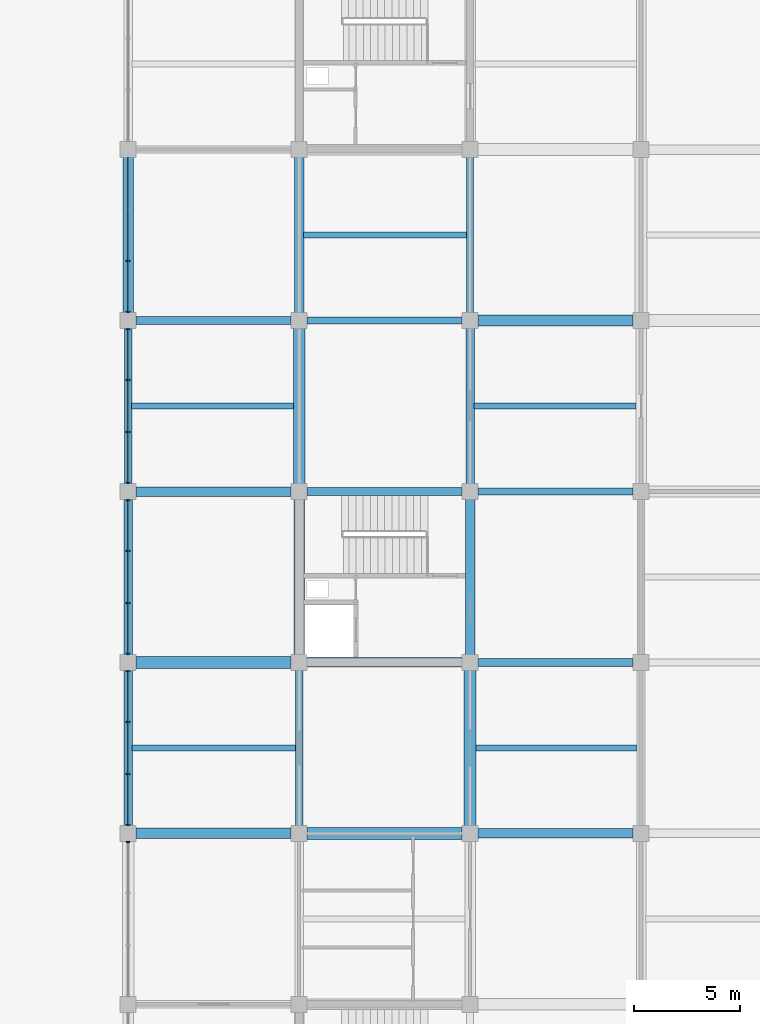
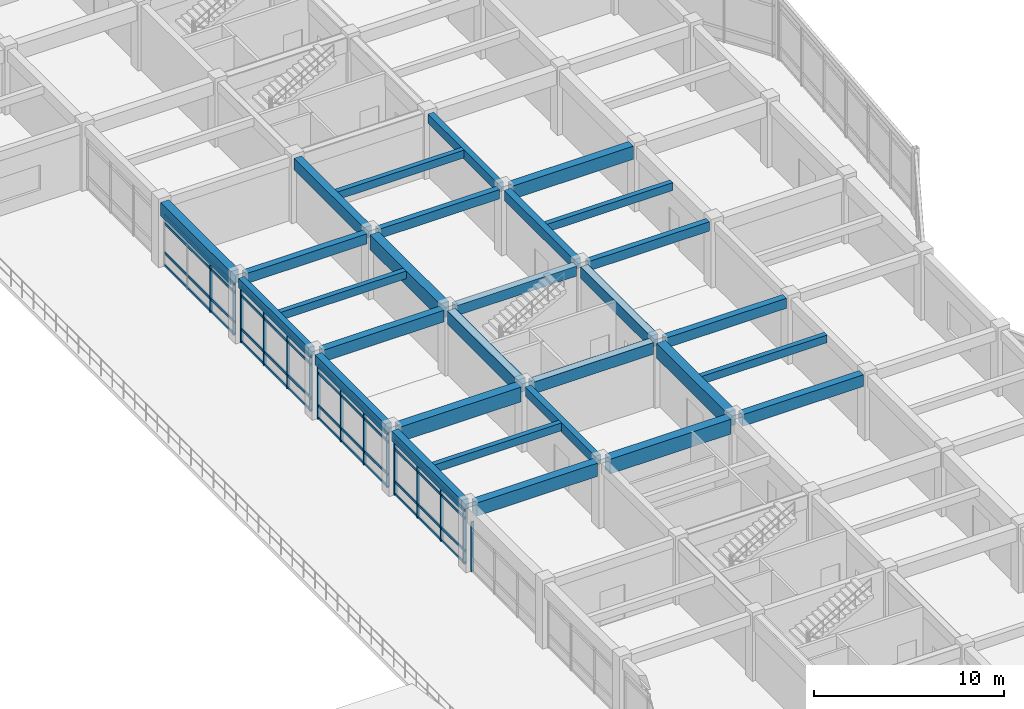
# One storey, part 29 of 70: 31 members, 29 beams, 5 elements without a shape of their own.
"""IFC4 building model written with IfcOpenShell, lengths in metres."""

import ifcopenshell
import ifcopenshell.guid

model = None  # the IFC model being written
_history = None  # IfcOwnerHistory: only IFC2X3 demands one
_inside = {}  # id of a spatial element -> (the spatial element, [elements in it])
_under = {}  # id of a project, library or spatial element -> (it, [spatial elements below it])
_declared = {}  # id of a project -> (the project, [libraries it declares])
_typed = {}  # id of a type object -> (the type object, [elements of that type])
_made_of = {}  # id of a material, layer set ... -> (it, [elements and type objects made of it])


def new_model(schema):
    """Start an empty IFC model of exactly this schema.

    Asked for "IFC4X3", IfcOpenShell would pick the latest addendum, in which some entities
    have other attributes; the version numbers below select the first issue.
    IFC2X3 requires an IfcOwnerHistory on every rooted entity: one is made here for all.
    """
    global model, _history
    if schema == "IFC4X3":
        model = ifcopenshell.file(schema_version=(4, 3, 0, 0))
    else:
        model = ifcopenshell.file(schema=schema)
    _inside.clear()
    _under.clear()
    _declared.clear()
    _typed.clear()
    _made_of.clear()
    _history = None
    if model.schema == "IFC2X3":
        org = make("IfcOrganization", Name="unknown")
        user = make(
            "IfcPersonAndOrganization",
            ThePerson=make("IfcPerson", FamilyName="unknown"),
            TheOrganization=org,
        )
        app = make(
            "IfcApplication",
            ApplicationDeveloper=org,
            Version="unknown",
            ApplicationFullName="unknown",
            ApplicationIdentifier="unknown",
        )
        _history = make(
            "IfcOwnerHistory",
            OwningUser=user,
            OwningApplication=app,
            ChangeAction="ADDED",
            CreationDate=0,
        )
    return model


def make(cls, **values):
    """One entity of the class cls with the attributes given. An attribute that is None is left unset."""
    return model.create_entity(
        cls, **{name: value for name, value in values.items() if value is not None}
    )


def rooted(cls, **values):
    """An entity with a GlobalId (a new one), such as an element, a storey or a relation."""
    return make(cls, GlobalId=ifcopenshell.guid.new(), OwnerHistory=_history, **values)


def si_unit(unit_type, name, prefix=None):
    """IfcSIUnit, for example si_unit("LENGTHUNIT", "METRE", prefix="MILLI")."""
    return make("IfcSIUnit", UnitType=unit_type, Prefix=prefix, Name=name)


def assignment(units):
    """IfcUnitAssignment: the units of a project."""
    return None if units is None else make("IfcUnitAssignment", Units=units)


def point(xyz):
    """IfcCartesianPoint."""
    return None if xyz is None else make("IfcCartesianPoint", Coordinates=xyz)


def direction(xyz):
    """IfcDirection."""
    return None if xyz is None else make("IfcDirection", DirectionRatios=xyz)


def frame(location, z_axis=None, x_axis=None):
    """IfcAxis2Placement3D, a coordinate frame: its origin and axes. An axis left out is left unset."""
    return make(
        "IfcAxis2Placement3D",
        Location=point(location),
        Axis=direction(z_axis),
        RefDirection=direction(x_axis),
    )


def frame_2d(location, x_axis=None):
    """IfcAxis2Placement2D, a coordinate frame in the plane: its origin and x axis."""
    return make(
        "IfcAxis2Placement2D", Location=point(location), RefDirection=direction(x_axis)
    )


def origin():
    """The frame at (0, 0, 0) with its axes left unset."""
    return frame((0.0, 0.0, 0.0))


def origin_2d():
    """The frame at (0, 0) in the plane with its x axis left unset."""
    return frame_2d((0.0, 0.0))


def place(relative_to, where):
    """IfcLocalPlacement: puts the frame where relative to a parent placement (None: the world)."""
    return make(
        "IfcLocalPlacement", PlacementRelTo=relative_to, RelativePlacement=where
    )


def context(
    kind, dimensions, precision=None, world=None, true_north=None, identifier=None
):
    """IfcGeometricRepresentationContext, for example the 3D "Model" context."""
    return make(
        "IfcGeometricRepresentationContext",
        ContextIdentifier=identifier,
        ContextType=kind,
        CoordinateSpaceDimension=dimensions,
        Precision=precision,
        WorldCoordinateSystem=world,
        TrueNorth=true_north,
    )


def subcontext(parent, identifier, kind, view, scale=None):
    """IfcGeometricRepresentationSubContext, for example "Body" below "Model"."""
    return make(
        "IfcGeometricRepresentationSubContext",
        ContextIdentifier=identifier,
        ContextType=kind,
        ParentContext=parent,
        TargetScale=scale,
        TargetView=view,
    )


def project(units=None, contexts=None):
    """IfcProject with its units and contexts."""
    return rooted(
        "IfcProject",
        Name="project",
        RepresentationContexts=contexts,
        UnitsInContext=assignment(units),
    )


def spatial(cls, under=None, at=None, **own):
    """A site, building, storey or space (cls), placed at a placement, below another one or the project."""
    s = rooted(cls, ObjectPlacement=at, **own)
    if under is not None:
        _under.setdefault(under.id(), (under, []))[1].append(s)
    return s


def profile(cls, at=None, kind="AREA", **sizes):
    """A parametric profile (cls). Its sizes go by their IFC names, for example OverallWidth=200.0."""
    return make(cls, ProfileType=kind, Position=at, **sizes)


def rectangle(**sizes):
    """IfcRectangleProfileDef."""
    return profile("IfcRectangleProfileDef", **sizes)


def extrude(swept, where, along, depth):
    """IfcExtrudedAreaSolid: the profile swept, set in the frame where, extruded along a direction by depth."""
    return make(
        "IfcExtrudedAreaSolid",
        SweptArea=swept,
        Position=where,
        ExtrudedDirection=direction(along),
        Depth=depth,
    )


def shape(context_of_items, identifier, shape_type, items):
    """IfcShapeRepresentation: the items that make up one representation, for example the "Body"."""
    return make(
        "IfcShapeRepresentation",
        ContextOfItems=context_of_items,
        RepresentationIdentifier=identifier,
        RepresentationType=shape_type,
        Items=items,
    )


def material(Name=None, Category=None):
    """IfcMaterial."""
    return make("IfcMaterial", Name=Name, Category=Category)


def layer(
    of_material, thickness, ventilated=None, Name=None, Category=None, Priority=None
):
    """IfcMaterialLayer: one layer of a wall or slab, of a material (None: an air gap)."""
    return make(
        "IfcMaterialLayer",
        Material=of_material,
        LayerThickness=thickness,
        IsVentilated=ventilated,
        Name=Name,
        Category=Category,
        Priority=Priority,
    )


def layer_set(layers, Name=None):
    """IfcMaterialLayerSet."""
    return make("IfcMaterialLayerSet", MaterialLayers=layers, LayerSetName=Name)


def material_profile(
    of_material, cross_section, Name=None, Category=None, Priority=None
):
    """IfcMaterialProfile: a cross section and its material."""
    return make(
        "IfcMaterialProfile",
        Name=Name,
        Material=of_material,
        Profile=cross_section,
        Priority=Priority,
        Category=Category,
    )


def profile_set(profiles, Name=None, composite=None):
    """IfcMaterialProfileSet."""
    return make(
        "IfcMaterialProfileSet",
        Name=Name,
        MaterialProfiles=profiles,
        CompositeProfile=composite,
    )


def made_of(thing, what):
    """Note that an element or type object is made of a material, layer set ...; save() writes the relation."""
    if what is not None:
        _made_of.setdefault(what.id(), (what, []))[1].append(thing)
    return thing


def type_object(cls, material=None, **own):
    """A type object (cls), such as IfcWallType, which elements share."""
    return made_of(rooted(cls, **own), material)


def element(
    cls,
    number,
    at=None,
    inside=None,
    cuts=None,
    type_object=None,
    material=None,
    context=None,
    identifier="Body",
    shape_type=None,
    held_by="IfcProductDefinitionShape",
    body=None,
    shapes=None,
    **own,
):
    """One element of the class cls, such as IfcWall. Its Tag is "e" and its number.

    at: its placement. inside: the storey or other place that contains it. cuts: it is an
    opening in that element (IfcRelVoidsElement). A single representation is given by context,
    identifier, shape_type and body (its items); several are given by shapes. held_by: the class
    of the entity that holds the representations. save() writes the other relations.
    """
    e = rooted(cls, Tag="e%d" % number, ObjectPlacement=at, **own)
    if body is not None:
        shapes = [shape(context, identifier, shape_type, body)]
    if shapes is not None:
        e.Representation = make(held_by, Representations=shapes)
    if inside is not None:
        _inside.setdefault(inside.id(), (inside, []))[1].append(e)
    if cuts is not None:
        rooted(
            "IfcRelVoidsElement", RelatingBuildingElement=cuts, RelatedOpeningElement=e
        )
    if type_object is not None:
        _typed.setdefault(type_object.id(), (type_object, []))[1].append(e)
    return made_of(e, material)


def aggregate(whole, parts):
    """IfcRelAggregates: a whole, such as a stair, and the parts it consists of."""
    return rooted("IfcRelAggregates", RelatingObject=whole, RelatedObjects=parts)


def save(model, path):
    """Write the relations noted so far, then the file.

    IfcRelAggregates (storeys below a building ...), IfcRelContainedInSpatialStructure (elements
    in a storey), IfcRelDefinesByType, IfcRelAssociatesMaterial and IfcRelDeclares: one each for
    every whole, place, type object, material and project.
    """
    for whole, parts in _under.values():
        aggregate(whole, parts)
    for where, things in _inside.values():
        rooted(
            "IfcRelContainedInSpatialStructure",
            RelatedElements=things,
            RelatingStructure=where,
        )
    for kind, things in _typed.values():
        rooted("IfcRelDefinesByType", RelatedObjects=things, RelatingType=kind)
    for what, things in _made_of.values():
        rooted("IfcRelAssociatesMaterial", RelatedObjects=things, RelatingMaterial=what)
    for by, libraries in _declared.values():
        rooted("IfcRelDeclares", RelatingContext=by, RelatedDefinitions=libraries)
    model.write(path)


model = new_model("IFC4")

# Units and contexts
model_context = context("Model", 3, precision=1e-05, world=origin(), true_north=direction((0.0, 1.0)))
body_context = subcontext(model_context, "Body", "Model", "MODEL_VIEW")
ifc_project = project(units=[si_unit("LENGTHUNIT", "METRE"), si_unit("AREAUNIT", "SQUARE_METRE"), si_unit("VOLUMEUNIT", "CUBIC_METRE"), si_unit("PLANEANGLEUNIT", "RADIAN"), si_unit("MASSUNIT", "GRAM", prefix="KILO")], contexts=[model_context])

# Site, building, storey
site_placement = place(None, origin())
site = spatial("IfcSite", under=ifc_project, at=site_placement, CompositionType="ELEMENT")
building_placement = place(site_placement, origin())
building = spatial("IfcBuilding", under=site, at=building_placement, Name="Vaudrelin Polytechnic", CompositionType="ELEMENT")
storey_placement = place(building_placement, frame((0.0, 0.0, 14.110107421875)))
storey = spatial("IfcBuildingStorey", under=building, at=storey_placement, Name="L03", CompositionType="ELEMENT", Elevation=14.110107421875)

# Beams
ifc_material_1 = material(Name="Concrete 40 MPa", Category="concrete")
ifc_material_profile_1 = material_profile(ifc_material_1, rectangle(XDim=0.35009765625, YDim=0.60009765625, at=origin_2d()), Name="RC350x600")
ifc_profile_set_1 = profile_set([ifc_material_profile_1], Name="Concrete 40 MPa")
beam_type_1 = type_object("IfcBeamType", Name="BM-BM-RC3560", PredefinedType="BEAM", material=ifc_profile_set_1)
for number, where, z_axis, x_axis, name in (
    (1, (137.699951171875, 73.260009765625, 3.85986328125), (0.0, 1.0, 0.0), (-1.0, 0.0, 0.0), "L03 Y-beam 18-10"),
    (2, (145.800048828125, 57.06005859375, 3.85986328125), (0.0, 1.0, 0.0), (-1.0, 0.0, 0.0), "L03 Y-beam 19-8"),
    (3, (153.89990234375, 81.360107421875, 3.85986328125), (0.0, 1.0, 0.0), (-1.0, 0.0, 0.0), "L03 Y-beam 20-11"),
):
    element("IfcBeam", number, at=place(storey_placement, frame(where, z_axis=z_axis, x_axis=x_axis)), inside=storey, type_object=beam_type_1, Name=name, PredefinedType="BEAM", context=body_context, shape_type="SweptSolid", body=[
        extrude(rectangle(XDim=0.35009765625, YDim=0.60009765625, at=origin_2d()), origin(), (0.0, 0.0, 1.0), 7.3798828125),
    ])
beam_1_placement = place(storey_placement, frame((146.1708984375, 81.0, 3.85986328125), z_axis=(1.0, 0.0, 0.0), x_axis=(0.0, 1.0, 0.0)))
element("IfcBeam", 4, at=beam_1_placement, inside=storey, type_object=beam_type_1, Name="L03 X-beam 19-11", PredefinedType="BEAM", context=body_context, shape_type="SweptSolid", body=[
    extrude(rectangle(XDim=0.35009765625, YDim=0.60009765625, at=origin_2d()), origin(), (0.0, 0.0, 1.0), 7.358154296875),
])
beam_2_placement = place(storey_placement, frame((154.27099609375, 72.89990234375, 3.85986328125), z_axis=(1.0, 0.0, 0.0), x_axis=(0.0, 1.0, 0.0)))
element("IfcBeam", 5, at=beam_2_placement, inside=storey, type_object=beam_type_1, Name="L03 X-beam 20-10", PredefinedType="BEAM", context=body_context, shape_type="SweptSolid", body=[
    extrude(rectangle(XDim=0.35009765625, YDim=0.60009765625, at=origin_2d()), origin(), (0.0, 0.0, 1.0), 7.35791015625),
])
ifc_material_profile_2 = material_profile(ifc_material_1, rectangle(XDim=0.39990234375, YDim=0.64990234375, at=origin_2d()), Name="RC400x650")
ifc_profile_set_2 = profile_set([ifc_material_profile_2], Name="Concrete 40 MPa")
beam_type_2 = type_object("IfcBeamType", Name="BM-BM-RC4065", PredefinedType="BEAM", material=ifc_profile_set_2)
beam_3_placement = place(storey_placement, frame((137.699951171875, 65.159912109375, 3.8349609375), z_axis=(0.0, 1.0, 0.0), x_axis=(-1.0, 0.0, 0.0)))
element("IfcBeam", 6, at=beam_3_placement, inside=storey, type_object=beam_type_2, Name="L03 Y-beam 18-9", PredefinedType="BEAM", context=body_context, shape_type="SweptSolid", body=[
    extrude(rectangle(XDim=0.39990234375, YDim=0.64990234375, at=origin_2d()), origin(), (0.0, 0.0, 1.0), 7.380126953125),
])
beam_4_placement = place(storey_placement, frame((153.89990234375, 73.260009765625, 3.8349609375), z_axis=(0.0, 1.0, 0.0), x_axis=(-1.0, 0.0, 0.0)))
element("IfcBeam", 7, at=beam_4_placement, inside=storey, type_object=beam_type_2, Name="L03 Y-beam 20-10", PredefinedType="BEAM", context=body_context, shape_type="SweptSolid", body=[
    extrude(rectangle(XDim=0.39990234375, YDim=0.64990234375, at=origin_2d()), origin(), (0.0, 0.0, 1.0), 7.3798828125),
])
beam_5_placement = place(storey_placement, frame((138.071044921875, 81.0, 3.8349609375), z_axis=(1.0, 0.0, 0.0), x_axis=(0.0, 1.0, 0.0)))
element("IfcBeam", 8, at=beam_5_placement, inside=storey, type_object=beam_type_2, Name="L03 X-beam 18-11", PredefinedType="BEAM", context=body_context, shape_type="SweptSolid", body=[
    extrude(rectangle(XDim=0.39990234375, YDim=0.64990234375, at=origin_2d()), origin(), (0.0, 0.0, 1.0), 7.35791015625),
])
beam_6_placement = place(storey_placement, frame((146.1708984375, 72.89990234375, 3.8349609375), z_axis=(1.0, 0.0, 0.0), x_axis=(0.0, 1.0, 0.0)))
element("IfcBeam", 9, at=beam_6_placement, inside=storey, type_object=beam_type_2, Name="L03 X-beam 19-10", PredefinedType="BEAM", context=body_context, shape_type="SweptSolid", body=[
    extrude(rectangle(XDim=0.39990234375, YDim=0.64990234375, at=origin_2d()), origin(), (0.0, 0.0, 1.0), 7.358154296875),
])
beam_7_placement = place(storey_placement, frame((154.27099609375, 64.800048828125, 3.8349609375), z_axis=(1.0, 0.0, 0.0), x_axis=(0.0, 1.0, 0.0)))
element("IfcBeam", 10, at=beam_7_placement, inside=storey, type_object=beam_type_2, Name="L03 X-beam 20-9", PredefinedType="BEAM", context=body_context, shape_type="SweptSolid", body=[
    extrude(rectangle(XDim=0.39990234375, YDim=0.64990234375, at=origin_2d()), origin(), (0.0, 0.0, 1.0), 7.35791015625),
])
ifc_material_profile_3 = material_profile(ifc_material_1, rectangle(XDim=0.449951171875, YDim=0.75, at=origin_2d()), Name="RC450x750")
ifc_profile_set_3 = profile_set([ifc_material_profile_3], Name="Concrete 40 MPa")
beam_type_3 = type_object("IfcBeamType", Name="BM-BM-RC4575", PredefinedType="BEAM", material=ifc_profile_set_3)
beam_8_placement = place(storey_placement, frame((145.800048828125, 81.360107421875, 3.784912109375), z_axis=(0.0, 1.0, 0.0), x_axis=(-1.0, 0.0, 0.0)))
element("IfcBeam", 11, at=beam_8_placement, inside=storey, type_object=beam_type_3, Name="L03 Y-beam 19-11", PredefinedType="BEAM", context=body_context, shape_type="SweptSolid", body=[
    extrude(rectangle(XDim=0.449951171875, YDim=0.75, at=origin_2d()), origin(), (0.0, 0.0, 1.0), 7.3798828125),
])
beam_9_placement = place(storey_placement, frame((153.89990234375, 65.159912109375, 3.784912109375), z_axis=(0.0, 1.0, 0.0), x_axis=(-1.0, 0.0, 0.0)))
element("IfcBeam", 12, at=beam_9_placement, inside=storey, type_object=beam_type_3, Name="L03 Y-beam 20-9", PredefinedType="BEAM", context=body_context, shape_type="SweptSolid", body=[
    extrude(rectangle(XDim=0.449951171875, YDim=0.75, at=origin_2d()), origin(), (0.0, 0.0, 1.0), 7.380126953125),
])
beam_10_placement = place(storey_placement, frame((138.071044921875, 72.89990234375, 3.784912109375), z_axis=(1.0, 0.0, 0.0), x_axis=(0.0, 1.0, 0.0)))
element("IfcBeam", 13, at=beam_10_placement, inside=storey, type_object=beam_type_3, Name="L03 X-beam 18-10", PredefinedType="BEAM", context=body_context, shape_type="SweptSolid", body=[
    extrude(rectangle(XDim=0.449951171875, YDim=0.75, at=origin_2d()), origin(), (0.0, 0.0, 1.0), 7.35791015625),
])
beam_11_placement = place(storey_placement, frame((146.1708984375, 64.800048828125, 3.784912109375), z_axis=(1.0, 0.0, 0.0), x_axis=(0.0, 1.0, 0.0)))
element("IfcBeam", 14, at=beam_11_placement, inside=storey, type_object=beam_type_3, Name="L03 X-beam 19-9", PredefinedType="BEAM", context=body_context, shape_type="SweptSolid", body=[
    extrude(rectangle(XDim=0.449951171875, YDim=0.75, at=origin_2d()), origin(), (0.0, 0.0, 1.0), 7.358154296875),
])
beam_12_placement = place(storey_placement, frame((154.27099609375, 56.699951171875, 3.784912109375), z_axis=(1.0, 0.0, 0.0), x_axis=(0.0, 1.0, 0.0)))
element("IfcBeam", 15, at=beam_12_placement, inside=storey, type_object=beam_type_3, Name="L03 X-beam 20-8", PredefinedType="BEAM", context=body_context, shape_type="SweptSolid", body=[
    extrude(rectangle(XDim=0.449951171875, YDim=0.75, at=origin_2d()), origin(), (0.0, 0.0, 1.0), 7.35791015625),
])
ifc_material_profile_4 = material_profile(ifc_material_1, rectangle(XDim=0.5, YDim=0.85009765625, at=origin_2d()), Name="RC500x850")
ifc_profile_set_4 = profile_set([ifc_material_profile_4], Name="Concrete 40 MPa")
beam_type_4 = type_object("IfcBeamType", Name="BM-BM-RC5085", PredefinedType="BEAM", material=ifc_profile_set_4)
beam_13_placement = place(storey_placement, frame((137.699951171875, 81.360107421875, 3.73486328125), z_axis=(0.0, 1.0, 0.0), x_axis=(-1.0, 0.0, 0.0)))
element("IfcBeam", 16, at=beam_13_placement, inside=storey, type_object=beam_type_4, Name="L03 Y-beam 18-11", PredefinedType="BEAM", context=body_context, shape_type="SweptSolid", body=[
    extrude(rectangle(XDim=0.5, YDim=0.85009765625, at=origin_2d()), origin(), (0.0, 0.0, 1.0), 7.3798828125),
])
beam_14_placement = place(storey_placement, frame((145.800048828125, 65.159912109375, 3.73486328125), z_axis=(0.0, 1.0, 0.0), x_axis=(-1.0, 0.0, 0.0)))
element("IfcBeam", 17, at=beam_14_placement, inside=storey, type_object=beam_type_4, Name="L03 Y-beam 19-9", PredefinedType="BEAM", context=body_context, shape_type="SweptSolid", body=[
    extrude(rectangle(XDim=0.5, YDim=0.85009765625, at=origin_2d()), origin(), (0.0, 0.0, 1.0), 7.380126953125),
])
for number, where, z_axis, x_axis, name in (
    (18, (138.071044921875, 56.699951171875, 3.73486328125), (1.0, 0.0, 0.0), (0.0, 1.0, 0.0), "L03 X-beam 18-8"),
    (19, (154.27099609375, 81.0, 3.73486328125), (1.0, 0.0, 0.0), (0.0, 1.0, 0.0), "L03 X-beam 20-11"),
):
    element("IfcBeam", number, at=place(storey_placement, frame(where, z_axis=z_axis, x_axis=x_axis)), inside=storey, type_object=beam_type_4, Name=name, PredefinedType="BEAM", context=body_context, shape_type="SweptSolid", body=[
        extrude(rectangle(XDim=0.5, YDim=0.85009765625, at=origin_2d()), origin(), (0.0, 0.0, 1.0), 7.35791015625),
    ])
ifc_material_2 = material(Name="Concrete 50 MPa", Category="concrete")
ifc_material_profile_5 = material_profile(ifc_material_2, rectangle(XDim=0.550048828125, YDim=0.949951171875, at=origin_2d()), Name="RC550x950")
ifc_profile_set_5 = profile_set([ifc_material_profile_5], Name="Concrete 50 MPa")
beam_type_5 = type_object("IfcBeamType", Name="BM-BM-RC5595", PredefinedType="BEAM", material=ifc_profile_set_5)
for number, where, z_axis, x_axis, name in (
    (20, (145.800048828125, 73.260009765625, 3.684814453125), (0.0, 1.0, 0.0), (-1.0, 0.0, 0.0), "L03 Y-beam 19-10"),
    (21, (153.89990234375, 57.06005859375, 3.684814453125), (0.0, 1.0, 0.0), (-1.0, 0.0, 0.0), "L03 Y-beam 20-8"),
):
    element("IfcBeam", number, at=place(storey_placement, frame(where, z_axis=z_axis, x_axis=x_axis)), inside=storey, type_object=beam_type_5, Name=name, PredefinedType="BEAM", context=body_context, shape_type="SweptSolid", body=[
        extrude(rectangle(XDim=0.550048828125, YDim=0.949951171875, at=origin_2d()), origin(), (0.0, 0.0, 1.0), 7.3798828125),
    ])
beam_15_placement = place(storey_placement, frame((138.071044921875, 64.800048828125, 3.684814453125), z_axis=(1.0, 0.0, 0.0), x_axis=(0.0, 1.0, 0.0)))
element("IfcBeam", 22, at=beam_15_placement, inside=storey, type_object=beam_type_5, Name="L03 X-beam 18-9", PredefinedType="BEAM", context=body_context, shape_type="SweptSolid", body=[
    extrude(rectangle(XDim=0.550048828125, YDim=0.949951171875, at=origin_2d()), origin(), (0.0, 0.0, 1.0), 7.35791015625),
])
beam_16_placement = place(storey_placement, frame((146.1708984375, 56.699951171875, 3.684814453125), z_axis=(1.0, 0.0, 0.0), x_axis=(0.0, 1.0, 0.0)))
element("IfcBeam", 23, at=beam_16_placement, inside=storey, type_object=beam_type_5, Name="L03 X-beam 19-8", PredefinedType="BEAM", context=body_context, shape_type="SweptSolid", body=[
    extrude(rectangle(XDim=0.550048828125, YDim=0.949951171875, at=origin_2d()), origin(), (0.0, 0.0, 1.0), 7.358154296875),
])
ifc_material_profile_6 = material_profile(ifc_material_1, rectangle(XDim=0.300048828125, YDim=0.5, at=origin_2d()), Name="RC300x500")
ifc_profile_set_6 = profile_set([ifc_material_profile_6], Name="Concrete 40 MPa")
beam_type_6 = type_object("IfcBeamType", Name="BM-JS-RC3050", PredefinedType="JOIST", material=ifc_profile_set_6)
beam_17_placement = place(storey_placement, frame((137.89599609375, 60.75, 3.909912109375), z_axis=(1.0, 0.0, 0.0), x_axis=(0.0, 1.0, 0.0)))
element("IfcBeam", 24, at=beam_17_placement, inside=storey, type_object=beam_type_6, Name="L03 floor joist 18-8", PredefinedType="JOIST", context=body_context, shape_type="SweptSolid", body=[
    extrude(rectangle(XDim=0.300048828125, YDim=0.5, at=origin_2d()), origin(), (0.0, 0.0, 1.0), 7.73291015625),
])
beam_18_placement = place(storey_placement, frame((137.87109375, 76.949951171875, 3.909912109375), z_axis=(1.0, 0.0, 0.0), x_axis=(0.0, 1.0, 0.0)))
element("IfcBeam", 25, at=beam_18_placement, inside=storey, type_object=beam_type_6, Name="L03 floor joist 18-10", PredefinedType="JOIST", context=body_context, shape_type="SweptSolid", body=[
    extrude(rectangle(XDim=0.300048828125, YDim=0.5, at=origin_2d()), origin(), (0.0, 0.0, 1.0), 7.657958984375),
])
beam_19_placement = place(storey_placement, frame((146.02099609375, 85.050048828125, 3.909912109375), z_axis=(1.0, 0.0, 0.0), x_axis=(0.0, 1.0, 0.0)))
element("IfcBeam", 26, at=beam_19_placement, inside=storey, type_object=beam_type_6, Name="L03 floor joist 19-11", PredefinedType="JOIST", context=body_context, shape_type="SweptSolid", body=[
    extrude(rectangle(XDim=0.300048828125, YDim=0.5, at=origin_2d()), origin(), (0.0, 0.0, 1.0), 7.7080078125),
])
beam_20_placement = place(storey_placement, frame((154.1708984375, 60.75, 3.909912109375), z_axis=(1.0, 0.0, 0.0), x_axis=(0.0, 1.0, 0.0)))
element("IfcBeam", 27, at=beam_20_placement, inside=storey, type_object=beam_type_6, Name="L03 floor joist 20-8", PredefinedType="JOIST", context=body_context, shape_type="SweptSolid", body=[
    extrude(rectangle(XDim=0.300048828125, YDim=0.5, at=origin_2d()), origin(), (0.0, 0.0, 1.0), 7.633056640625),
])
beam_21_placement = place(storey_placement, frame((154.095947265625, 76.949951171875, 3.909912109375), z_axis=(1.0, 0.0, 0.0), x_axis=(0.0, 1.0, 0.0)))
element("IfcBeam", 28, at=beam_21_placement, inside=storey, type_object=beam_type_6, Name="L03 floor joist 20-10", PredefinedType="JOIST", context=body_context, shape_type="SweptSolid", body=[
    extrude(rectangle(XDim=0.300048828125, YDim=0.5, at=origin_2d()), origin(), (0.0, 0.0, 1.0), 7.657958984375),
])
ifc_material_profile_7 = material_profile(ifc_material_1, rectangle(XDim=0.39990234375, YDim=0.64990234375, at=origin_2d()), Name="RC400x650")
ifc_profile_set_7 = profile_set([ifc_material_profile_7], Name="Concrete 40 MPa")
beam_type_7 = type_object("IfcBeamType", Name="BM-SP-RC4065", PredefinedType="SPANDREL", material=ifc_profile_set_7)
beam_22_placement = place(storey_placement, frame((137.699951171875, 57.06005859375, 3.8349609375), z_axis=(0.0, 1.0, 0.0), x_axis=(-1.0, 0.0, 0.0)))
element("IfcBeam", 29, at=beam_22_placement, inside=storey, type_object=beam_type_7, Name="L03 Y-beam 18-8", PredefinedType="SPANDREL", context=body_context, shape_type="SweptSolid", body=[
    extrude(rectangle(XDim=0.39990234375, YDim=0.64990234375, at=origin_2d()), origin(), (0.0, 0.0, 1.0), 7.3798828125),
])

# Curtain wall, member
ifc_material_3 = material(Name="Thermally broken anodised aluminium AA 6063-T6 and low-e triple glazing", Category="aluminium")
ifc_layer = layer(ifc_material_3, 0.199951171875)
ifc_layer_set = layer_set([ifc_layer], Name="Thermally broken anodised aluminium AA 6063-T6 and low-e triple glazing")
curtain_wall_type = type_object("IfcCurtainWallType", Name="CW-CW-LAB", PredefinedType="USERDEFINED", material=ifc_layer_set)
curtain_wall_1_placement = place(storey_placement, origin())
curtain_wall_1 = element("IfcCurtainWall", 30, at=curtain_wall_1_placement, inside=storey, type_object=curtain_wall_type, Name="Curtain wall L03 W_V4_04", ObjectType="CURTAIN WALL", PredefinedType="USERDEFINED")
ifc_material_4 = material(Name="Anodised aluminium AA 6063-T6", Category="aluminium")
ifc_material_profile_8 = material_profile(ifc_material_4, rectangle(XDim=0.06494140625, YDim=0.179931640625, at=origin_2d()), Name="CWM-65x180")
ifc_profile_set_8 = profile_set([ifc_material_profile_8], Name="Anodised aluminium AA 6063-T6")
member_type_1 = type_object("IfcMemberType", Name="MEM-CWM-180", PredefinedType="MULLION", material=ifc_profile_set_8)
member_1_placement = place(storey_placement, frame((137.699951171875, 56.287109375, 0.0), z_axis=(0.0, 0.0, 1.0), x_axis=(0.0, 1.0, 0.0)))
member_1 = element("IfcMember", 31, at=member_1_placement, type_object=member_type_1, Name="W_V4_04 mullion 4", PredefinedType="MULLION", context=body_context, shape_type="SweptSolid", body=[
    extrude(rectangle(XDim=0.06494140625, YDim=0.179931640625, at=origin_2d()), origin(), (0.0, 0.0, 1.0), 3.2119140625),
])
aggregate(curtain_wall_1, [member_1])

# Curtain wall, members
curtain_wall_2_placement = place(storey_placement, origin())
curtain_wall_2 = element("IfcCurtainWall", 32, at=curtain_wall_2_placement, inside=storey, type_object=curtain_wall_type, Name="Curtain wall L03 W_V4_05", ObjectType="CURTAIN WALL", PredefinedType="USERDEFINED")
member_2_placement = place(storey_placement, frame((137.699951171875, 57.113037109375, 0.0), z_axis=(0.0, 0.0, 1.0), x_axis=(0.0, 1.0, 0.0)))
member_2 = element("IfcMember", 33, at=member_2_placement, type_object=member_type_1, Name="W_V4_05 mullion 1", PredefinedType="MULLION", context=body_context, shape_type="SweptSolid", body=[
    extrude(rectangle(XDim=0.06494140625, YDim=0.179931640625, at=origin_2d()), origin(), (0.0, 0.0, 1.0), 3.511962890625),
])
member_3_placement = place(storey_placement, frame((137.699951171875, 59.5244140625, 0.0), z_axis=(0.0, 0.0, 1.0), x_axis=(0.0, 1.0, 0.0)))
member_3 = element("IfcMember", 34, at=member_3_placement, type_object=member_type_1, Name="W_V4_05 mullion 2", PredefinedType="MULLION", context=body_context, shape_type="SweptSolid", body=[
    extrude(rectangle(XDim=0.06494140625, YDim=0.179931640625, at=origin_2d()), origin(), (0.0, 0.0, 1.0), 3.511962890625),
])
member_4_placement = place(storey_placement, frame((137.699951171875, 61.9755859375, 0.0), z_axis=(0.0, 0.0, 1.0), x_axis=(0.0, 1.0, 0.0)))
member_4 = element("IfcMember", 35, at=member_4_placement, type_object=member_type_1, Name="W_V4_05 mullion 3", PredefinedType="MULLION", context=body_context, shape_type="SweptSolid", body=[
    extrude(rectangle(XDim=0.06494140625, YDim=0.179931640625, at=origin_2d()), origin(), (0.0, 0.0, 1.0), 3.511962890625),
])
member_5_placement = place(storey_placement, frame((137.699951171875, 64.386962890625, 0.0), z_axis=(0.0, 0.0, 1.0), x_axis=(0.0, 1.0, 0.0)))
member_5 = element("IfcMember", 36, at=member_5_placement, type_object=member_type_1, Name="W_V4_05 mullion 4", PredefinedType="MULLION", context=body_context, shape_type="SweptSolid", body=[
    extrude(rectangle(XDim=0.06494140625, YDim=0.179931640625, at=origin_2d()), origin(), (0.0, 0.0, 1.0), 3.511962890625),
])

curtain_wall_3_placement = place(storey_placement, origin())
curtain_wall_3 = element("IfcCurtainWall", 37, at=curtain_wall_3_placement, inside=storey, type_object=curtain_wall_type, Name="Curtain wall L03 W_V4_06", ObjectType="CURTAIN WALL", PredefinedType="USERDEFINED")
member_6_placement = place(storey_placement, frame((137.699951171875, 65.212890625, 0.0), z_axis=(0.0, 0.0, 1.0), x_axis=(0.0, 1.0, 0.0)))
member_6 = element("IfcMember", 38, at=member_6_placement, type_object=member_type_1, Name="W_V4_06 mullion 1", PredefinedType="MULLION", context=body_context, shape_type="SweptSolid", body=[
    extrude(rectangle(XDim=0.06494140625, YDim=0.179931640625, at=origin_2d()), origin(), (0.0, 0.0, 1.0), 3.511962890625),
])
member_7_placement = place(storey_placement, frame((137.699951171875, 67.624267578125, 0.0), z_axis=(0.0, 0.0, 1.0), x_axis=(0.0, 1.0, 0.0)))
member_7 = element("IfcMember", 39, at=member_7_placement, type_object=member_type_1, Name="W_V4_06 mullion 2", PredefinedType="MULLION", context=body_context, shape_type="SweptSolid", body=[
    extrude(rectangle(XDim=0.06494140625, YDim=0.179931640625, at=origin_2d()), origin(), (0.0, 0.0, 1.0), 3.511962890625),
])
member_8_placement = place(storey_placement, frame((137.699951171875, 70.07568359375, 0.0), z_axis=(0.0, 0.0, 1.0), x_axis=(0.0, 1.0, 0.0)))
member_8 = element("IfcMember", 40, at=member_8_placement, type_object=member_type_1, Name="W_V4_06 mullion 3", PredefinedType="MULLION", context=body_context, shape_type="SweptSolid", body=[
    extrude(rectangle(XDim=0.06494140625, YDim=0.179931640625, at=origin_2d()), origin(), (0.0, 0.0, 1.0), 3.511962890625),
])
member_9_placement = place(storey_placement, frame((137.699951171875, 72.487060546875, 0.0), z_axis=(0.0, 0.0, 1.0), x_axis=(0.0, 1.0, 0.0)))
member_9 = element("IfcMember", 41, at=member_9_placement, type_object=member_type_1, Name="W_V4_06 mullion 4", PredefinedType="MULLION", context=body_context, shape_type="SweptSolid", body=[
    extrude(rectangle(XDim=0.06494140625, YDim=0.179931640625, at=origin_2d()), origin(), (0.0, 0.0, 1.0), 3.511962890625),
])

curtain_wall_4_placement = place(storey_placement, origin())
curtain_wall_4 = element("IfcCurtainWall", 42, at=curtain_wall_4_placement, inside=storey, type_object=curtain_wall_type, Name="Curtain wall L03 W_V4_07", ObjectType="CURTAIN WALL", PredefinedType="USERDEFINED")
member_10_placement = place(storey_placement, frame((137.699951171875, 73.31298828125, 0.0), z_axis=(0.0, 0.0, 1.0), x_axis=(0.0, 1.0, 0.0)))
member_10 = element("IfcMember", 43, at=member_10_placement, type_object=member_type_1, Name="W_V4_07 mullion 1", PredefinedType="MULLION", context=body_context, shape_type="SweptSolid", body=[
    extrude(rectangle(XDim=0.06494140625, YDim=0.179931640625, at=origin_2d()), origin(), (0.0, 0.0, 1.0), 3.56201171875),
])
member_11_placement = place(storey_placement, frame((137.699951171875, 75.724365234375, 0.0), z_axis=(0.0, 0.0, 1.0), x_axis=(0.0, 1.0, 0.0)))
member_11 = element("IfcMember", 44, at=member_11_placement, type_object=member_type_1, Name="W_V4_07 mullion 2", PredefinedType="MULLION", context=body_context, shape_type="SweptSolid", body=[
    extrude(rectangle(XDim=0.06494140625, YDim=0.179931640625, at=origin_2d()), origin(), (0.0, 0.0, 1.0), 3.56201171875),
])
member_12_placement = place(storey_placement, frame((137.699951171875, 78.17578125, 0.0), z_axis=(0.0, 0.0, 1.0), x_axis=(0.0, 1.0, 0.0)))
member_12 = element("IfcMember", 45, at=member_12_placement, type_object=member_type_1, Name="W_V4_07 mullion 3", PredefinedType="MULLION", context=body_context, shape_type="SweptSolid", body=[
    extrude(rectangle(XDim=0.06494140625, YDim=0.179931640625, at=origin_2d()), origin(), (0.0, 0.0, 1.0), 3.56201171875),
])
member_13_placement = place(storey_placement, frame((137.699951171875, 80.5869140625, 0.0), z_axis=(0.0, 0.0, 1.0), x_axis=(0.0, 1.0, 0.0)))
member_13 = element("IfcMember", 46, at=member_13_placement, type_object=member_type_1, Name="W_V4_07 mullion 4", PredefinedType="MULLION", context=body_context, shape_type="SweptSolid", body=[
    extrude(rectangle(XDim=0.06494140625, YDim=0.179931640625, at=origin_2d()), origin(), (0.0, 0.0, 1.0), 3.56201171875),
])

curtain_wall_5_placement = place(storey_placement, origin())
curtain_wall_5 = element("IfcCurtainWall", 47, at=curtain_wall_5_placement, inside=storey, type_object=curtain_wall_type, Name="Curtain wall L03 W_V4_08", ObjectType="CURTAIN WALL", PredefinedType="USERDEFINED")
member_14_placement = place(storey_placement, frame((137.699951171875, 81.4130859375, 0.0), z_axis=(0.0, 0.0, 1.0), x_axis=(0.0, 1.0, 0.0)))
member_14 = element("IfcMember", 48, at=member_14_placement, type_object=member_type_1, Name="W_V4_08 mullion 1", PredefinedType="MULLION", context=body_context, shape_type="SweptSolid", body=[
    extrude(rectangle(XDim=0.06494140625, YDim=0.179931640625, at=origin_2d()), origin(), (0.0, 0.0, 1.0), 3.31201171875),
])
member_15_placement = place(storey_placement, frame((137.699951171875, 83.82421875, 0.0), z_axis=(0.0, 0.0, 1.0), x_axis=(0.0, 1.0, 0.0)))
member_15 = element("IfcMember", 49, at=member_15_placement, type_object=member_type_1, Name="W_V4_08 mullion 2", PredefinedType="MULLION", context=body_context, shape_type="SweptSolid", body=[
    extrude(rectangle(XDim=0.06494140625, YDim=0.179931640625, at=origin_2d()), origin(), (0.0, 0.0, 1.0), 3.31201171875),
])

# Member
ifc_material_profile_9 = material_profile(ifc_material_4, rectangle(XDim=0.074951171875, YDim=0.1650390625, at=origin_2d()), Name="CWT-75x165")
ifc_profile_set_9 = profile_set([ifc_material_profile_9], Name="Anodised aluminium AA 6063-T6")
member_type_2 = type_object("IfcMemberType", Name="MEM-CWT-165", PredefinedType="USERDEFINED", material=ifc_profile_set_9)
member_16_placement = place(storey_placement, frame((137.699951171875, 57.072998046875, 0.0498046875), z_axis=(0.0, 1.0, 0.0), x_axis=(-1.0, 0.0, 0.0)))
member_16 = element("IfcMember", 50, at=member_16_placement, type_object=member_type_2, Name="W_V4_05 transom 1", ObjectType="TRANSOM", PredefinedType="USERDEFINED", context=body_context, shape_type="SweptSolid", body=[
    extrude(rectangle(XDim=0.074951171875, YDim=0.1650390625, at=origin_2d()), origin(), (0.0, 0.0, 1.0), 7.35400390625),
])

member_17_placement = place(storey_placement, frame((137.699951171875, 57.072998046875, 0.849853515625), z_axis=(0.0, 1.0, 0.0), x_axis=(-1.0, 0.0, 0.0)))
member_17 = element("IfcMember", 51, at=member_17_placement, type_object=member_type_2, Name="W_V4_05 transom 2", ObjectType="TRANSOM", PredefinedType="USERDEFINED", context=body_context, shape_type="SweptSolid", body=[
    extrude(rectangle(XDim=0.074951171875, YDim=0.1650390625, at=origin_2d()), origin(), (0.0, 0.0, 1.0), 7.35400390625),
])

member_18_placement = place(storey_placement, frame((137.699951171875, 57.072998046875, 2.9619140625), z_axis=(0.0, 1.0, 0.0), x_axis=(-1.0, 0.0, 0.0)))
member_18 = element("IfcMember", 52, at=member_18_placement, type_object=member_type_2, Name="W_V4_05 transom 3", ObjectType="TRANSOM", PredefinedType="USERDEFINED", context=body_context, shape_type="SweptSolid", body=[
    extrude(rectangle(XDim=0.074951171875, YDim=0.1650390625, at=origin_2d()), origin(), (0.0, 0.0, 1.0), 7.35400390625),
])

member_19_placement = place(storey_placement, frame((137.699951171875, 57.072998046875, 3.4619140625), z_axis=(0.0, 1.0, 0.0), x_axis=(-1.0, 0.0, 0.0)))
member_19 = element("IfcMember", 53, at=member_19_placement, type_object=member_type_2, Name="W_V4_05 transom 4", ObjectType="TRANSOM", PredefinedType="USERDEFINED", context=body_context, shape_type="SweptSolid", body=[
    extrude(rectangle(XDim=0.074951171875, YDim=0.1650390625, at=origin_2d()), origin(), (0.0, 0.0, 1.0), 7.35400390625),
])

aggregate(curtain_wall_2, [member_2, member_3, member_4, member_5, member_16, member_17, member_18, member_19])

member_20_placement = place(storey_placement, frame((137.699951171875, 65.173095703125, 0.0498046875), z_axis=(0.0, 1.0, 0.0), x_axis=(-1.0, 0.0, 0.0)))
member_20 = element("IfcMember", 54, at=member_20_placement, type_object=member_type_2, Name="W_V4_06 transom 1", ObjectType="TRANSOM", PredefinedType="USERDEFINED", context=body_context, shape_type="SweptSolid", body=[
    extrude(rectangle(XDim=0.074951171875, YDim=0.1650390625, at=origin_2d()), origin(), (0.0, 0.0, 1.0), 7.35400390625),
])

member_21_placement = place(storey_placement, frame((137.699951171875, 65.173095703125, 0.849853515625), z_axis=(0.0, 1.0, 0.0), x_axis=(-1.0, 0.0, 0.0)))
member_21 = element("IfcMember", 55, at=member_21_placement, type_object=member_type_2, Name="W_V4_06 transom 2", ObjectType="TRANSOM", PredefinedType="USERDEFINED", context=body_context, shape_type="SweptSolid", body=[
    extrude(rectangle(XDim=0.074951171875, YDim=0.1650390625, at=origin_2d()), origin(), (0.0, 0.0, 1.0), 7.35400390625),
])

member_22_placement = place(storey_placement, frame((137.699951171875, 65.173095703125, 2.9619140625), z_axis=(0.0, 1.0, 0.0), x_axis=(-1.0, 0.0, 0.0)))
member_22 = element("IfcMember", 56, at=member_22_placement, type_object=member_type_2, Name="W_V4_06 transom 3", ObjectType="TRANSOM", PredefinedType="USERDEFINED", context=body_context, shape_type="SweptSolid", body=[
    extrude(rectangle(XDim=0.074951171875, YDim=0.1650390625, at=origin_2d()), origin(), (0.0, 0.0, 1.0), 7.35400390625),
])

member_23_placement = place(storey_placement, frame((137.699951171875, 65.173095703125, 3.4619140625), z_axis=(0.0, 1.0, 0.0), x_axis=(-1.0, 0.0, 0.0)))
member_23 = element("IfcMember", 57, at=member_23_placement, type_object=member_type_2, Name="W_V4_06 transom 4", ObjectType="TRANSOM", PredefinedType="USERDEFINED", context=body_context, shape_type="SweptSolid", body=[
    extrude(rectangle(XDim=0.074951171875, YDim=0.1650390625, at=origin_2d()), origin(), (0.0, 0.0, 1.0), 7.35400390625),
])

aggregate(curtain_wall_3, [member_6, member_7, member_8, member_9, member_20, member_21, member_22, member_23])

member_24_placement = place(storey_placement, frame((137.699951171875, 73.27294921875, 0.0498046875), z_axis=(0.0, 1.0, 0.0), x_axis=(-1.0, 0.0, 0.0)))
member_24 = element("IfcMember", 58, at=member_24_placement, type_object=member_type_2, Name="W_V4_07 transom 1", ObjectType="TRANSOM", PredefinedType="USERDEFINED", context=body_context, shape_type="SweptSolid", body=[
    extrude(rectangle(XDim=0.074951171875, YDim=0.1650390625, at=origin_2d()), origin(), (0.0, 0.0, 1.0), 7.35400390625),
])

member_25_placement = place(storey_placement, frame((137.699951171875, 73.27294921875, 0.849853515625), z_axis=(0.0, 1.0, 0.0), x_axis=(-1.0, 0.0, 0.0)))
member_25 = element("IfcMember", 59, at=member_25_placement, type_object=member_type_2, Name="W_V4_07 transom 2", ObjectType="TRANSOM", PredefinedType="USERDEFINED", context=body_context, shape_type="SweptSolid", body=[
    extrude(rectangle(XDim=0.074951171875, YDim=0.1650390625, at=origin_2d()), origin(), (0.0, 0.0, 1.0), 7.35400390625),
])

member_26_placement = place(storey_placement, frame((137.699951171875, 73.27294921875, 3.011962890625), z_axis=(0.0, 1.0, 0.0), x_axis=(-1.0, 0.0, 0.0)))
member_26 = element("IfcMember", 60, at=member_26_placement, type_object=member_type_2, Name="W_V4_07 transom 3", ObjectType="TRANSOM", PredefinedType="USERDEFINED", context=body_context, shape_type="SweptSolid", body=[
    extrude(rectangle(XDim=0.074951171875, YDim=0.1650390625, at=origin_2d()), origin(), (0.0, 0.0, 1.0), 7.35400390625),
])

member_27_placement = place(storey_placement, frame((137.699951171875, 73.27294921875, 3.511962890625), z_axis=(0.0, 1.0, 0.0), x_axis=(-1.0, 0.0, 0.0)))
member_27 = element("IfcMember", 61, at=member_27_placement, type_object=member_type_2, Name="W_V4_07 transom 4", ObjectType="TRANSOM", PredefinedType="USERDEFINED", context=body_context, shape_type="SweptSolid", body=[
    extrude(rectangle(XDim=0.074951171875, YDim=0.1650390625, at=origin_2d()), origin(), (0.0, 0.0, 1.0), 7.35400390625),
])

aggregate(curtain_wall_4, [member_10, member_11, member_12, member_13, member_24, member_25, member_26, member_27])

member_28_placement = place(storey_placement, frame((137.699951171875, 81.373046875, 0.0498046875), z_axis=(0.0, 1.0, 0.0), x_axis=(-1.0, 0.0, 0.0)))
member_28 = element("IfcMember", 62, at=member_28_placement, type_object=member_type_2, Name="W_V4_08 transom 1", ObjectType="TRANSOM", PredefinedType="USERDEFINED", context=body_context, shape_type="SweptSolid", body=[
    extrude(rectangle(XDim=0.074951171875, YDim=0.1650390625, at=origin_2d()), origin(), (0.0, 0.0, 1.0), 7.35400390625),
])

member_29_placement = place(storey_placement, frame((137.699951171875, 81.373046875, 0.849853515625), z_axis=(0.0, 1.0, 0.0), x_axis=(-1.0, 0.0, 0.0)))
member_29 = element("IfcMember", 63, at=member_29_placement, type_object=member_type_2, Name="W_V4_08 transom 2", ObjectType="TRANSOM", PredefinedType="USERDEFINED", context=body_context, shape_type="SweptSolid", body=[
    extrude(rectangle(XDim=0.074951171875, YDim=0.1650390625, at=origin_2d()), origin(), (0.0, 0.0, 1.0), 7.35400390625),
])

member_30_placement = place(storey_placement, frame((137.699951171875, 81.373046875, 2.761962890625), z_axis=(0.0, 1.0, 0.0), x_axis=(-1.0, 0.0, 0.0)))
member_30 = element("IfcMember", 64, at=member_30_placement, type_object=member_type_2, Name="W_V4_08 transom 3", ObjectType="TRANSOM", PredefinedType="USERDEFINED", context=body_context, shape_type="SweptSolid", body=[
    extrude(rectangle(XDim=0.074951171875, YDim=0.1650390625, at=origin_2d()), origin(), (0.0, 0.0, 1.0), 7.35400390625),
])

member_31_placement = place(storey_placement, frame((137.699951171875, 81.373046875, 3.261962890625), z_axis=(0.0, 1.0, 0.0), x_axis=(-1.0, 0.0, 0.0)))
member_31 = element("IfcMember", 65, at=member_31_placement, type_object=member_type_2, Name="W_V4_08 transom 4", ObjectType="TRANSOM", PredefinedType="USERDEFINED", context=body_context, shape_type="SweptSolid", body=[
    extrude(rectangle(XDim=0.074951171875, YDim=0.1650390625, at=origin_2d()), origin(), (0.0, 0.0, 1.0), 7.35400390625),
])

aggregate(curtain_wall_5, [member_14, member_15, member_28, member_29, member_30, member_31])

save(model, "model.ifc")
